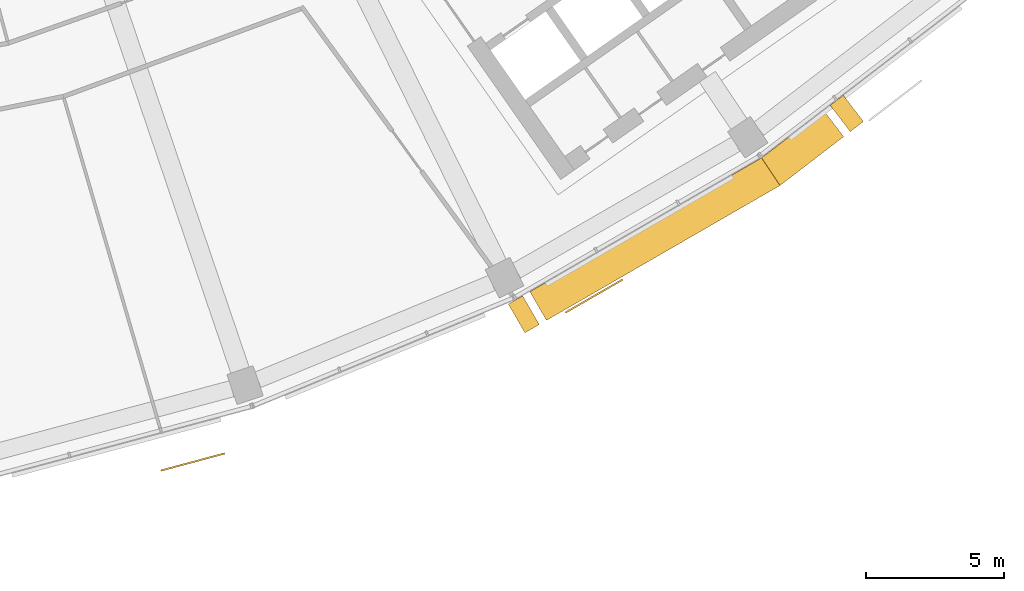
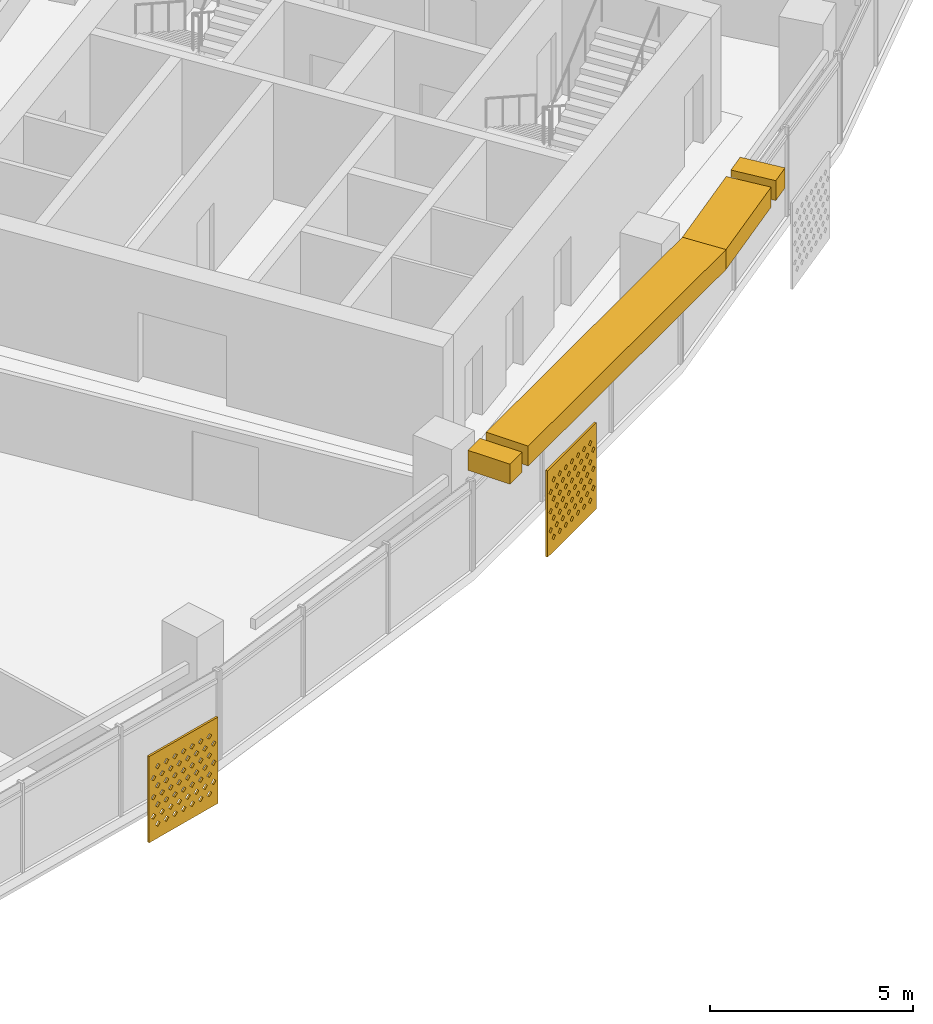
# One storey, part 26 of 28: 6 shading devices.
"""IFC4 building model written with IfcOpenShell, lengths in metres."""

from ifc_helpers import new_model, si_unit, direction, frame, origin, place, context, subcontext, project, spatial, polyline, outline, extrude, material, material_profile, profile_set, type_object, element, save


model = new_model("IFC4")

# Units and contexts
model_context = context("Model", 3, precision=1e-05, world=origin(), true_north=direction((0.0, 1.0)))
body_context = subcontext(model_context, "Body", "Model", "MODEL_VIEW")
ifc_project = project(units=[si_unit("LENGTHUNIT", "METRE"), si_unit("AREAUNIT", "SQUARE_METRE"), si_unit("VOLUMEUNIT", "CUBIC_METRE"), si_unit("PLANEANGLEUNIT", "RADIAN"), si_unit("MASSUNIT", "GRAM", prefix="KILO")], contexts=[model_context])

# Site, building, storey
site_placement = place(None, origin())
site = spatial("IfcSite", under=ifc_project, at=site_placement, CompositionType="ELEMENT")
building_placement = place(site_placement, origin())
building = spatial("IfcBuilding", under=site, at=building_placement, Name="Qamariyya Broadcast Tower", CompositionType="ELEMENT")
storey_placement = place(building_placement, frame((0.0, 0.0, 230.300048828125)))
storey = spatial("IfcBuildingStorey", under=building, at=storey_placement, Name="L55", CompositionType="ELEMENT", Elevation=230.300048828125)

# Shading devices
ifc_material_1 = material(Name="Steel S355 powder coated deep red", Category="steel")
shading_device_type_1 = type_object("IfcShadingDeviceType", Name="Deep red frame, powder coated steel box section", PredefinedType="USERDEFINED", material=ifc_material_1)
shading_device_1_placement = place(storey_placement, frame((0.0, 0.0, 3.199951171875)))
element("IfcShadingDevice", 1, at=shading_device_1_placement, inside=storey, type_object=shading_device_type_1, Name="e-frm-B4-F3-posta-L55", ObjectType="FRAME", PredefinedType="USERDEFINED", context=body_context, shape_type="SweptSolid", body=[
    extrude(outline(polyline([(34.526123046875, -70.68896484375), (35.126220703125, -71.728271484375), (35.645751953125, -71.42822265625), (35.0458984375, -70.38916015625), (34.526123046875, -70.68896484375)])), origin(), (0.0, 0.0, 1.0), 0.60009765625),
])
shading_device_2_placement = place(storey_placement, frame((0.0, 0.0, 3.199951171875)))
element("IfcShadingDevice", 2, at=shading_device_2_placement, inside=storey, type_object=shading_device_type_1, Name="e-frm-B4-F3-postb-L55", ObjectType="FRAME", PredefinedType="USERDEFINED", context=body_context, shape_type="SweptSolid", body=[
    extrude(outline(polyline([(46.17822265625, -63.489990234375), (46.90869140625, -64.442138671875), (47.384765625, -64.076904296875), (46.654296875, -63.124755859375), (46.17822265625, -63.489990234375)])), origin(), (0.0, 0.0, 1.0), 0.60009765625),
])
shading_device_3_placement = place(storey_placement, frame((0.0, 0.0, 3.199951171875)))
element("IfcShadingDevice", 3, at=shading_device_3_placement, inside=storey, type_object=shading_device_type_1, Name="e-frm-B4-F3-bot0", ObjectType="FRAME", PredefinedType="USERDEFINED", context=body_context, shape_type="SweptSolid", body=[
    extrude(outline(polyline([(35.3056640625, -70.239013671875), (35.905517578125, -71.2783203125), (44.36376953125, -66.39501953125), (43.695556640625, -65.39501953125), (35.3056640625, -70.239013671875)])), origin(), (0.0, 0.0, 1.0), 0.60009765625),
])
shading_device_4_placement = place(storey_placement, frame((0.0, 0.0, 3.199951171875)))
element("IfcShadingDevice", 4, at=shading_device_4_placement, inside=storey, type_object=shading_device_type_1, Name="e-frm-B4-F3-bot1", ObjectType="FRAME", PredefinedType="USERDEFINED", context=body_context, shape_type="SweptSolid", body=[
    extrude(outline(polyline([(43.695556640625, -65.39501953125), (44.36376953125, -66.39501953125), (46.670654296875, -64.624755859375), (45.940185546875, -63.672607421875), (43.695556640625, -65.39501953125)])), origin(), (0.0, 0.0, 1.0), 0.60009765625),
])
ifc_material_2 = material(Name="Perforated glazed terracotta", Category="masonry")
ifc_material_profile = material_profile(ifc_material_2, outline(polyline([(-1.199951171875, -1.300048828125), (1.199951171875, -1.300048828125), (1.199951171875, 1.300048828125), (-1.199951171875, 1.300048828125), (-1.199951171875, -1.300048828125)]), holes=[polyline([(-0.81494140625, -0.86669921875), (-0.89990234375, -0.78173828125), (-0.985107421875, -0.86669921875), (-0.89990234375, -0.95166015625), (-0.81494140625, -0.86669921875)]), polyline([(-0.514892578125, -0.86669921875), (-0.60009765625, -0.78173828125), (-0.68505859375, -0.86669921875), (-0.60009765625, -0.95166015625), (-0.514892578125, -0.86669921875)]), polyline([(-0.215087890625, -0.86669921875), (-0.300048828125, -0.78173828125), (-0.385009765625, -0.86669921875), (-0.300048828125, -0.95166015625), (-0.215087890625, -0.86669921875)]), polyline([(0.0849609375, -0.86669921875), (0.0, -0.78173828125), (-0.0849609375, -0.86669921875), (0.0, -0.95166015625), (0.0849609375, -0.86669921875)]), polyline([(0.385009765625, -0.86669921875), (0.300048828125, -0.78173828125), (0.215087890625, -0.86669921875), (0.300048828125, -0.95166015625), (0.385009765625, -0.86669921875)]), polyline([(0.68505859375, -0.86669921875), (0.60009765625, -0.78173828125), (0.514892578125, -0.86669921875), (0.60009765625, -0.95166015625), (0.68505859375, -0.86669921875)]), polyline([(0.985107421875, -0.86669921875), (0.89990234375, -0.78173828125), (0.81494140625, -0.86669921875), (0.89990234375, -0.95166015625), (0.985107421875, -0.86669921875)]), polyline([(-0.965087890625, -0.577880859375), (-1.050048828125, -0.49267578125), (-1.135009765625, -0.577880859375), (-1.050048828125, -0.662841796875), (-0.965087890625, -0.577880859375)]), polyline([(-0.6650390625, -0.577880859375), (-0.75, -0.49267578125), (-0.8349609375, -0.577880859375), (-0.75, -0.662841796875), (-0.6650390625, -0.577880859375)]), polyline([(-0.364990234375, -0.577880859375), (-0.449951171875, -0.49267578125), (-0.534912109375, -0.577880859375), (-0.449951171875, -0.662841796875), (-0.364990234375, -0.577880859375)]), polyline([(-0.06494140625, -0.577880859375), (-0.14990234375, -0.49267578125), (-0.235107421875, -0.577880859375), (-0.14990234375, -0.662841796875), (-0.06494140625, -0.577880859375)]), polyline([(0.235107421875, -0.577880859375), (0.14990234375, -0.49267578125), (0.06494140625, -0.577880859375), (0.14990234375, -0.662841796875), (0.235107421875, -0.577880859375)]), polyline([(0.534912109375, -0.577880859375), (0.449951171875, -0.49267578125), (0.364990234375, -0.577880859375), (0.449951171875, -0.662841796875), (0.534912109375, -0.577880859375)]), polyline([(0.8349609375, -0.577880859375), (0.75, -0.49267578125), (0.6650390625, -0.577880859375), (0.75, -0.662841796875), (0.8349609375, -0.577880859375)]), polyline([(1.135009765625, -0.577880859375), (1.050048828125, -0.49267578125), (0.965087890625, -0.577880859375), (1.050048828125, -0.662841796875), (1.135009765625, -0.577880859375)]), polyline([(-0.81494140625, -0.288818359375), (-0.89990234375, -0.203857421875), (-0.985107421875, -0.288818359375), (-0.89990234375, -0.373779296875), (-0.81494140625, -0.288818359375)]), polyline([(-0.514892578125, -0.288818359375), (-0.60009765625, -0.203857421875), (-0.68505859375, -0.288818359375), (-0.60009765625, -0.373779296875), (-0.514892578125, -0.288818359375)]), polyline([(-0.215087890625, -0.288818359375), (-0.300048828125, -0.203857421875), (-0.385009765625, -0.288818359375), (-0.300048828125, -0.373779296875), (-0.215087890625, -0.288818359375)]), polyline([(0.0849609375, -0.288818359375), (0.0, -0.203857421875), (-0.0849609375, -0.288818359375), (0.0, -0.373779296875), (0.0849609375, -0.288818359375)]), polyline([(0.385009765625, -0.288818359375), (0.300048828125, -0.203857421875), (0.215087890625, -0.288818359375), (0.300048828125, -0.373779296875), (0.385009765625, -0.288818359375)]), polyline([(0.68505859375, -0.288818359375), (0.60009765625, -0.203857421875), (0.514892578125, -0.288818359375), (0.60009765625, -0.373779296875), (0.68505859375, -0.288818359375)]), polyline([(0.985107421875, -0.288818359375), (0.89990234375, -0.203857421875), (0.81494140625, -0.288818359375), (0.89990234375, -0.373779296875), (0.985107421875, -0.288818359375)]), polyline([(-0.965087890625, 0.0), (-1.050048828125, 0.0849609375), (-1.135009765625, 0.0), (-1.050048828125, -0.0849609375), (-0.965087890625, 0.0)]), polyline([(-0.6650390625, 0.0), (-0.75, 0.0849609375), (-0.8349609375, 0.0), (-0.75, -0.0849609375), (-0.6650390625, 0.0)]), polyline([(-0.364990234375, 0.0), (-0.449951171875, 0.0849609375), (-0.534912109375, 0.0), (-0.449951171875, -0.0849609375), (-0.364990234375, 0.0)]), polyline([(-0.06494140625, 0.0), (-0.14990234375, 0.0849609375), (-0.235107421875, 0.0), (-0.14990234375, -0.0849609375), (-0.06494140625, 0.0)]), polyline([(0.235107421875, 0.0), (0.14990234375, 0.0849609375), (0.06494140625, 0.0), (0.14990234375, -0.0849609375), (0.235107421875, 0.0)]), polyline([(0.534912109375, 0.0), (0.449951171875, 0.0849609375), (0.364990234375, 0.0), (0.449951171875, -0.0849609375), (0.534912109375, 0.0)]), polyline([(0.8349609375, 0.0), (0.75, 0.0849609375), (0.6650390625, 0.0), (0.75, -0.0849609375), (0.8349609375, 0.0)]), polyline([(1.135009765625, 0.0), (1.050048828125, 0.0849609375), (0.965087890625, 0.0), (1.050048828125, -0.0849609375), (1.135009765625, 0.0)]), polyline([(-0.81494140625, 0.288818359375), (-0.89990234375, 0.373779296875), (-0.985107421875, 0.288818359375), (-0.89990234375, 0.203857421875), (-0.81494140625, 0.288818359375)]), polyline([(-0.514892578125, 0.288818359375), (-0.60009765625, 0.373779296875), (-0.68505859375, 0.288818359375), (-0.60009765625, 0.203857421875), (-0.514892578125, 0.288818359375)]), polyline([(-0.215087890625, 0.288818359375), (-0.300048828125, 0.373779296875), (-0.385009765625, 0.288818359375), (-0.300048828125, 0.203857421875), (-0.215087890625, 0.288818359375)]), polyline([(0.0849609375, 0.288818359375), (0.0, 0.373779296875), (-0.0849609375, 0.288818359375), (0.0, 0.203857421875), (0.0849609375, 0.288818359375)]), polyline([(0.385009765625, 0.288818359375), (0.300048828125, 0.373779296875), (0.215087890625, 0.288818359375), (0.300048828125, 0.203857421875), (0.385009765625, 0.288818359375)]), polyline([(0.68505859375, 0.288818359375), (0.60009765625, 0.373779296875), (0.514892578125, 0.288818359375), (0.60009765625, 0.203857421875), (0.68505859375, 0.288818359375)]), polyline([(0.985107421875, 0.288818359375), (0.89990234375, 0.373779296875), (0.81494140625, 0.288818359375), (0.89990234375, 0.203857421875), (0.985107421875, 0.288818359375)]), polyline([(-0.965087890625, 0.577880859375), (-1.050048828125, 0.662841796875), (-1.135009765625, 0.577880859375), (-1.050048828125, 0.49267578125), (-0.965087890625, 0.577880859375)]), polyline([(-0.6650390625, 0.577880859375), (-0.75, 0.662841796875), (-0.8349609375, 0.577880859375), (-0.75, 0.49267578125), (-0.6650390625, 0.577880859375)]), polyline([(-0.364990234375, 0.577880859375), (-0.449951171875, 0.662841796875), (-0.534912109375, 0.577880859375), (-0.449951171875, 0.49267578125), (-0.364990234375, 0.577880859375)]), polyline([(-0.06494140625, 0.577880859375), (-0.14990234375, 0.662841796875), (-0.235107421875, 0.577880859375), (-0.14990234375, 0.49267578125), (-0.06494140625, 0.577880859375)]), polyline([(0.235107421875, 0.577880859375), (0.14990234375, 0.662841796875), (0.06494140625, 0.577880859375), (0.14990234375, 0.49267578125), (0.235107421875, 0.577880859375)]), polyline([(0.534912109375, 0.577880859375), (0.449951171875, 0.662841796875), (0.364990234375, 0.577880859375), (0.449951171875, 0.49267578125), (0.534912109375, 0.577880859375)]), polyline([(0.8349609375, 0.577880859375), (0.75, 0.662841796875), (0.6650390625, 0.577880859375), (0.75, 0.49267578125), (0.8349609375, 0.577880859375)]), polyline([(1.135009765625, 0.577880859375), (1.050048828125, 0.662841796875), (0.965087890625, 0.577880859375), (1.050048828125, 0.49267578125), (1.135009765625, 0.577880859375)]), polyline([(-0.81494140625, 0.86669921875), (-0.89990234375, 0.95166015625), (-0.985107421875, 0.86669921875), (-0.89990234375, 0.78173828125), (-0.81494140625, 0.86669921875)]), polyline([(-0.514892578125, 0.86669921875), (-0.60009765625, 0.95166015625), (-0.68505859375, 0.86669921875), (-0.60009765625, 0.78173828125), (-0.514892578125, 0.86669921875)]), polyline([(-0.215087890625, 0.86669921875), (-0.300048828125, 0.95166015625), (-0.385009765625, 0.86669921875), (-0.300048828125, 0.78173828125), (-0.215087890625, 0.86669921875)]), polyline([(0.0849609375, 0.86669921875), (0.0, 0.95166015625), (-0.0849609375, 0.86669921875), (0.0, 0.78173828125), (0.0849609375, 0.86669921875)]), polyline([(0.385009765625, 0.86669921875), (0.300048828125, 0.95166015625), (0.215087890625, 0.86669921875), (0.300048828125, 0.78173828125), (0.385009765625, 0.86669921875)]), polyline([(0.68505859375, 0.86669921875), (0.60009765625, 0.95166015625), (0.514892578125, 0.86669921875), (0.60009765625, 0.78173828125), (0.68505859375, 0.86669921875)]), polyline([(0.985107421875, 0.86669921875), (0.89990234375, 0.95166015625), (0.81494140625, 0.86669921875), (0.89990234375, 0.78173828125), (0.985107421875, 0.86669921875)])]))
ifc_profile_set = profile_set([ifc_material_profile], Name="Perforated glazed terracotta")
shading_device_type_2 = type_object("IfcShadingDeviceType", Name="Perforated terracotta screen 2400 x 2600", PredefinedType="USERDEFINED", material=ifc_profile_set)
shading_device_5_placement = place(storey_placement, frame((23.0908203125, -76.377685546875, 1.349853515625), z_axis=(0.259682438219, -0.965694067125, 0.0), x_axis=(0.965694067125, 0.259682438219, 0.0)))
element("IfcShadingDevice", 5, at=shading_device_5_placement, inside=storey, type_object=shading_device_type_2, Name="e-scr-L55-10-2", ObjectType="SCREEN", PredefinedType="USERDEFINED", context=body_context, shape_type="SweptSolid", body=[
    extrude(outline(polyline([(-1.199951171875, -1.300048828125), (1.199951171875, -1.300048828125), (1.199951171875, 1.300048828125), (-1.199951171875, 1.300048828125), (-1.199951171875, -1.300048828125)]), holes=[polyline([(-0.81494140625, -0.86669921875), (-0.89990234375, -0.78173828125), (-0.985107421875, -0.86669921875), (-0.89990234375, -0.95166015625), (-0.81494140625, -0.86669921875)]), polyline([(-0.514892578125, -0.86669921875), (-0.60009765625, -0.78173828125), (-0.68505859375, -0.86669921875), (-0.60009765625, -0.95166015625), (-0.514892578125, -0.86669921875)]), polyline([(-0.215087890625, -0.86669921875), (-0.300048828125, -0.78173828125), (-0.385009765625, -0.86669921875), (-0.300048828125, -0.95166015625), (-0.215087890625, -0.86669921875)]), polyline([(0.0849609375, -0.86669921875), (0.0, -0.78173828125), (-0.0849609375, -0.86669921875), (0.0, -0.95166015625), (0.0849609375, -0.86669921875)]), polyline([(0.385009765625, -0.86669921875), (0.300048828125, -0.78173828125), (0.215087890625, -0.86669921875), (0.300048828125, -0.95166015625), (0.385009765625, -0.86669921875)]), polyline([(0.68505859375, -0.86669921875), (0.60009765625, -0.78173828125), (0.514892578125, -0.86669921875), (0.60009765625, -0.95166015625), (0.68505859375, -0.86669921875)]), polyline([(0.985107421875, -0.86669921875), (0.89990234375, -0.78173828125), (0.81494140625, -0.86669921875), (0.89990234375, -0.95166015625), (0.985107421875, -0.86669921875)]), polyline([(-0.965087890625, -0.577880859375), (-1.050048828125, -0.49267578125), (-1.135009765625, -0.577880859375), (-1.050048828125, -0.662841796875), (-0.965087890625, -0.577880859375)]), polyline([(-0.6650390625, -0.577880859375), (-0.75, -0.49267578125), (-0.8349609375, -0.577880859375), (-0.75, -0.662841796875), (-0.6650390625, -0.577880859375)]), polyline([(-0.364990234375, -0.577880859375), (-0.449951171875, -0.49267578125), (-0.534912109375, -0.577880859375), (-0.449951171875, -0.662841796875), (-0.364990234375, -0.577880859375)]), polyline([(-0.06494140625, -0.577880859375), (-0.14990234375, -0.49267578125), (-0.235107421875, -0.577880859375), (-0.14990234375, -0.662841796875), (-0.06494140625, -0.577880859375)]), polyline([(0.235107421875, -0.577880859375), (0.14990234375, -0.49267578125), (0.06494140625, -0.577880859375), (0.14990234375, -0.662841796875), (0.235107421875, -0.577880859375)]), polyline([(0.534912109375, -0.577880859375), (0.449951171875, -0.49267578125), (0.364990234375, -0.577880859375), (0.449951171875, -0.662841796875), (0.534912109375, -0.577880859375)]), polyline([(0.8349609375, -0.577880859375), (0.75, -0.49267578125), (0.6650390625, -0.577880859375), (0.75, -0.662841796875), (0.8349609375, -0.577880859375)]), polyline([(1.135009765625, -0.577880859375), (1.050048828125, -0.49267578125), (0.965087890625, -0.577880859375), (1.050048828125, -0.662841796875), (1.135009765625, -0.577880859375)]), polyline([(-0.81494140625, -0.288818359375), (-0.89990234375, -0.203857421875), (-0.985107421875, -0.288818359375), (-0.89990234375, -0.373779296875), (-0.81494140625, -0.288818359375)]), polyline([(-0.514892578125, -0.288818359375), (-0.60009765625, -0.203857421875), (-0.68505859375, -0.288818359375), (-0.60009765625, -0.373779296875), (-0.514892578125, -0.288818359375)]), polyline([(-0.215087890625, -0.288818359375), (-0.300048828125, -0.203857421875), (-0.385009765625, -0.288818359375), (-0.300048828125, -0.373779296875), (-0.215087890625, -0.288818359375)]), polyline([(0.0849609375, -0.288818359375), (0.0, -0.203857421875), (-0.0849609375, -0.288818359375), (0.0, -0.373779296875), (0.0849609375, -0.288818359375)]), polyline([(0.385009765625, -0.288818359375), (0.300048828125, -0.203857421875), (0.215087890625, -0.288818359375), (0.300048828125, -0.373779296875), (0.385009765625, -0.288818359375)]), polyline([(0.68505859375, -0.288818359375), (0.60009765625, -0.203857421875), (0.514892578125, -0.288818359375), (0.60009765625, -0.373779296875), (0.68505859375, -0.288818359375)]), polyline([(0.985107421875, -0.288818359375), (0.89990234375, -0.203857421875), (0.81494140625, -0.288818359375), (0.89990234375, -0.373779296875), (0.985107421875, -0.288818359375)]), polyline([(-0.965087890625, 0.0), (-1.050048828125, 0.0849609375), (-1.135009765625, 0.0), (-1.050048828125, -0.0849609375), (-0.965087890625, 0.0)]), polyline([(-0.6650390625, 0.0), (-0.75, 0.0849609375), (-0.8349609375, 0.0), (-0.75, -0.0849609375), (-0.6650390625, 0.0)]), polyline([(-0.364990234375, 0.0), (-0.449951171875, 0.0849609375), (-0.534912109375, 0.0), (-0.449951171875, -0.0849609375), (-0.364990234375, 0.0)]), polyline([(-0.06494140625, 0.0), (-0.14990234375, 0.0849609375), (-0.235107421875, 0.0), (-0.14990234375, -0.0849609375), (-0.06494140625, 0.0)]), polyline([(0.235107421875, 0.0), (0.14990234375, 0.0849609375), (0.06494140625, 0.0), (0.14990234375, -0.0849609375), (0.235107421875, 0.0)]), polyline([(0.534912109375, 0.0), (0.449951171875, 0.0849609375), (0.364990234375, 0.0), (0.449951171875, -0.0849609375), (0.534912109375, 0.0)]), polyline([(0.8349609375, 0.0), (0.75, 0.0849609375), (0.6650390625, 0.0), (0.75, -0.0849609375), (0.8349609375, 0.0)]), polyline([(1.135009765625, 0.0), (1.050048828125, 0.0849609375), (0.965087890625, 0.0), (1.050048828125, -0.0849609375), (1.135009765625, 0.0)]), polyline([(-0.81494140625, 0.288818359375), (-0.89990234375, 0.373779296875), (-0.985107421875, 0.288818359375), (-0.89990234375, 0.203857421875), (-0.81494140625, 0.288818359375)]), polyline([(-0.514892578125, 0.288818359375), (-0.60009765625, 0.373779296875), (-0.68505859375, 0.288818359375), (-0.60009765625, 0.203857421875), (-0.514892578125, 0.288818359375)]), polyline([(-0.215087890625, 0.288818359375), (-0.300048828125, 0.373779296875), (-0.385009765625, 0.288818359375), (-0.300048828125, 0.203857421875), (-0.215087890625, 0.288818359375)]), polyline([(0.0849609375, 0.288818359375), (0.0, 0.373779296875), (-0.0849609375, 0.288818359375), (0.0, 0.203857421875), (0.0849609375, 0.288818359375)]), polyline([(0.385009765625, 0.288818359375), (0.300048828125, 0.373779296875), (0.215087890625, 0.288818359375), (0.300048828125, 0.203857421875), (0.385009765625, 0.288818359375)]), polyline([(0.68505859375, 0.288818359375), (0.60009765625, 0.373779296875), (0.514892578125, 0.288818359375), (0.60009765625, 0.203857421875), (0.68505859375, 0.288818359375)]), polyline([(0.985107421875, 0.288818359375), (0.89990234375, 0.373779296875), (0.81494140625, 0.288818359375), (0.89990234375, 0.203857421875), (0.985107421875, 0.288818359375)]), polyline([(-0.965087890625, 0.577880859375), (-1.050048828125, 0.662841796875), (-1.135009765625, 0.577880859375), (-1.050048828125, 0.49267578125), (-0.965087890625, 0.577880859375)]), polyline([(-0.6650390625, 0.577880859375), (-0.75, 0.662841796875), (-0.8349609375, 0.577880859375), (-0.75, 0.49267578125), (-0.6650390625, 0.577880859375)]), polyline([(-0.364990234375, 0.577880859375), (-0.449951171875, 0.662841796875), (-0.534912109375, 0.577880859375), (-0.449951171875, 0.49267578125), (-0.364990234375, 0.577880859375)]), polyline([(-0.06494140625, 0.577880859375), (-0.14990234375, 0.662841796875), (-0.235107421875, 0.577880859375), (-0.14990234375, 0.49267578125), (-0.06494140625, 0.577880859375)]), polyline([(0.235107421875, 0.577880859375), (0.14990234375, 0.662841796875), (0.06494140625, 0.577880859375), (0.14990234375, 0.49267578125), (0.235107421875, 0.577880859375)]), polyline([(0.534912109375, 0.577880859375), (0.449951171875, 0.662841796875), (0.364990234375, 0.577880859375), (0.449951171875, 0.49267578125), (0.534912109375, 0.577880859375)]), polyline([(0.8349609375, 0.577880859375), (0.75, 0.662841796875), (0.6650390625, 0.577880859375), (0.75, 0.49267578125), (0.8349609375, 0.577880859375)]), polyline([(1.135009765625, 0.577880859375), (1.050048828125, 0.662841796875), (0.965087890625, 0.577880859375), (1.050048828125, 0.49267578125), (1.135009765625, 0.577880859375)]), polyline([(-0.81494140625, 0.86669921875), (-0.89990234375, 0.95166015625), (-0.985107421875, 0.86669921875), (-0.89990234375, 0.78173828125), (-0.81494140625, 0.86669921875)]), polyline([(-0.514892578125, 0.86669921875), (-0.60009765625, 0.95166015625), (-0.68505859375, 0.86669921875), (-0.60009765625, 0.78173828125), (-0.514892578125, 0.86669921875)]), polyline([(-0.215087890625, 0.86669921875), (-0.300048828125, 0.95166015625), (-0.385009765625, 0.86669921875), (-0.300048828125, 0.78173828125), (-0.215087890625, 0.86669921875)]), polyline([(0.0849609375, 0.86669921875), (0.0, 0.95166015625), (-0.0849609375, 0.86669921875), (0.0, 0.78173828125), (0.0849609375, 0.86669921875)]), polyline([(0.385009765625, 0.86669921875), (0.300048828125, 0.95166015625), (0.215087890625, 0.86669921875), (0.300048828125, 0.78173828125), (0.385009765625, 0.86669921875)]), polyline([(0.68505859375, 0.86669921875), (0.60009765625, 0.95166015625), (0.514892578125, 0.86669921875), (0.60009765625, 0.78173828125), (0.68505859375, 0.86669921875)]), polyline([(0.985107421875, 0.86669921875), (0.89990234375, 0.95166015625), (0.81494140625, 0.86669921875), (0.89990234375, 0.78173828125), (0.985107421875, 0.86669921875)])]), origin(), (0.0, 0.0, 1.0), 0.06005859375),
])
shading_device_6_placement = place(storey_placement, frame((37.6171875, -70.370849609375, 1.349853515625), z_axis=(0.500074377092, -0.865982457891, 0.0), x_axis=(0.865982457891, 0.500074377092, 0.0)))
element("IfcShadingDevice", 6, at=shading_device_6_placement, inside=storey, type_object=shading_device_type_2, Name="e-scr-L55-12-0", ObjectType="SCREEN", PredefinedType="USERDEFINED", context=body_context, shape_type="SweptSolid", body=[
    extrude(outline(polyline([(-1.199951171875, -1.300048828125), (1.199951171875, -1.300048828125), (1.199951171875, 1.300048828125), (-1.199951171875, 1.300048828125), (-1.199951171875, -1.300048828125)]), holes=[polyline([(-0.81494140625, -0.86669921875), (-0.89990234375, -0.78173828125), (-0.985107421875, -0.86669921875), (-0.89990234375, -0.95166015625), (-0.81494140625, -0.86669921875)]), polyline([(-0.514892578125, -0.86669921875), (-0.60009765625, -0.78173828125), (-0.68505859375, -0.86669921875), (-0.60009765625, -0.95166015625), (-0.514892578125, -0.86669921875)]), polyline([(-0.215087890625, -0.86669921875), (-0.300048828125, -0.78173828125), (-0.385009765625, -0.86669921875), (-0.300048828125, -0.95166015625), (-0.215087890625, -0.86669921875)]), polyline([(0.0849609375, -0.86669921875), (0.0, -0.78173828125), (-0.0849609375, -0.86669921875), (0.0, -0.95166015625), (0.0849609375, -0.86669921875)]), polyline([(0.385009765625, -0.86669921875), (0.300048828125, -0.78173828125), (0.215087890625, -0.86669921875), (0.300048828125, -0.95166015625), (0.385009765625, -0.86669921875)]), polyline([(0.68505859375, -0.86669921875), (0.60009765625, -0.78173828125), (0.514892578125, -0.86669921875), (0.60009765625, -0.95166015625), (0.68505859375, -0.86669921875)]), polyline([(0.985107421875, -0.86669921875), (0.89990234375, -0.78173828125), (0.81494140625, -0.86669921875), (0.89990234375, -0.95166015625), (0.985107421875, -0.86669921875)]), polyline([(-0.965087890625, -0.577880859375), (-1.050048828125, -0.49267578125), (-1.135009765625, -0.577880859375), (-1.050048828125, -0.662841796875), (-0.965087890625, -0.577880859375)]), polyline([(-0.6650390625, -0.577880859375), (-0.75, -0.49267578125), (-0.8349609375, -0.577880859375), (-0.75, -0.662841796875), (-0.6650390625, -0.577880859375)]), polyline([(-0.364990234375, -0.577880859375), (-0.449951171875, -0.49267578125), (-0.534912109375, -0.577880859375), (-0.449951171875, -0.662841796875), (-0.364990234375, -0.577880859375)]), polyline([(-0.06494140625, -0.577880859375), (-0.14990234375, -0.49267578125), (-0.235107421875, -0.577880859375), (-0.14990234375, -0.662841796875), (-0.06494140625, -0.577880859375)]), polyline([(0.235107421875, -0.577880859375), (0.14990234375, -0.49267578125), (0.06494140625, -0.577880859375), (0.14990234375, -0.662841796875), (0.235107421875, -0.577880859375)]), polyline([(0.534912109375, -0.577880859375), (0.449951171875, -0.49267578125), (0.364990234375, -0.577880859375), (0.449951171875, -0.662841796875), (0.534912109375, -0.577880859375)]), polyline([(0.8349609375, -0.577880859375), (0.75, -0.49267578125), (0.6650390625, -0.577880859375), (0.75, -0.662841796875), (0.8349609375, -0.577880859375)]), polyline([(1.135009765625, -0.577880859375), (1.050048828125, -0.49267578125), (0.965087890625, -0.577880859375), (1.050048828125, -0.662841796875), (1.135009765625, -0.577880859375)]), polyline([(-0.81494140625, -0.288818359375), (-0.89990234375, -0.203857421875), (-0.985107421875, -0.288818359375), (-0.89990234375, -0.373779296875), (-0.81494140625, -0.288818359375)]), polyline([(-0.514892578125, -0.288818359375), (-0.60009765625, -0.203857421875), (-0.68505859375, -0.288818359375), (-0.60009765625, -0.373779296875), (-0.514892578125, -0.288818359375)]), polyline([(-0.215087890625, -0.288818359375), (-0.300048828125, -0.203857421875), (-0.385009765625, -0.288818359375), (-0.300048828125, -0.373779296875), (-0.215087890625, -0.288818359375)]), polyline([(0.0849609375, -0.288818359375), (0.0, -0.203857421875), (-0.0849609375, -0.288818359375), (0.0, -0.373779296875), (0.0849609375, -0.288818359375)]), polyline([(0.385009765625, -0.288818359375), (0.300048828125, -0.203857421875), (0.215087890625, -0.288818359375), (0.300048828125, -0.373779296875), (0.385009765625, -0.288818359375)]), polyline([(0.68505859375, -0.288818359375), (0.60009765625, -0.203857421875), (0.514892578125, -0.288818359375), (0.60009765625, -0.373779296875), (0.68505859375, -0.288818359375)]), polyline([(0.985107421875, -0.288818359375), (0.89990234375, -0.203857421875), (0.81494140625, -0.288818359375), (0.89990234375, -0.373779296875), (0.985107421875, -0.288818359375)]), polyline([(-0.965087890625, 0.0), (-1.050048828125, 0.0849609375), (-1.135009765625, 0.0), (-1.050048828125, -0.0849609375), (-0.965087890625, 0.0)]), polyline([(-0.6650390625, 0.0), (-0.75, 0.0849609375), (-0.8349609375, 0.0), (-0.75, -0.0849609375), (-0.6650390625, 0.0)]), polyline([(-0.364990234375, 0.0), (-0.449951171875, 0.0849609375), (-0.534912109375, 0.0), (-0.449951171875, -0.0849609375), (-0.364990234375, 0.0)]), polyline([(-0.06494140625, 0.0), (-0.14990234375, 0.0849609375), (-0.235107421875, 0.0), (-0.14990234375, -0.0849609375), (-0.06494140625, 0.0)]), polyline([(0.235107421875, 0.0), (0.14990234375, 0.0849609375), (0.06494140625, 0.0), (0.14990234375, -0.0849609375), (0.235107421875, 0.0)]), polyline([(0.534912109375, 0.0), (0.449951171875, 0.0849609375), (0.364990234375, 0.0), (0.449951171875, -0.0849609375), (0.534912109375, 0.0)]), polyline([(0.8349609375, 0.0), (0.75, 0.0849609375), (0.6650390625, 0.0), (0.75, -0.0849609375), (0.8349609375, 0.0)]), polyline([(1.135009765625, 0.0), (1.050048828125, 0.0849609375), (0.965087890625, 0.0), (1.050048828125, -0.0849609375), (1.135009765625, 0.0)]), polyline([(-0.81494140625, 0.288818359375), (-0.89990234375, 0.373779296875), (-0.985107421875, 0.288818359375), (-0.89990234375, 0.203857421875), (-0.81494140625, 0.288818359375)]), polyline([(-0.514892578125, 0.288818359375), (-0.60009765625, 0.373779296875), (-0.68505859375, 0.288818359375), (-0.60009765625, 0.203857421875), (-0.514892578125, 0.288818359375)]), polyline([(-0.215087890625, 0.288818359375), (-0.300048828125, 0.373779296875), (-0.385009765625, 0.288818359375), (-0.300048828125, 0.203857421875), (-0.215087890625, 0.288818359375)]), polyline([(0.0849609375, 0.288818359375), (0.0, 0.373779296875), (-0.0849609375, 0.288818359375), (0.0, 0.203857421875), (0.0849609375, 0.288818359375)]), polyline([(0.385009765625, 0.288818359375), (0.300048828125, 0.373779296875), (0.215087890625, 0.288818359375), (0.300048828125, 0.203857421875), (0.385009765625, 0.288818359375)]), polyline([(0.68505859375, 0.288818359375), (0.60009765625, 0.373779296875), (0.514892578125, 0.288818359375), (0.60009765625, 0.203857421875), (0.68505859375, 0.288818359375)]), polyline([(0.985107421875, 0.288818359375), (0.89990234375, 0.373779296875), (0.81494140625, 0.288818359375), (0.89990234375, 0.203857421875), (0.985107421875, 0.288818359375)]), polyline([(-0.965087890625, 0.577880859375), (-1.050048828125, 0.662841796875), (-1.135009765625, 0.577880859375), (-1.050048828125, 0.49267578125), (-0.965087890625, 0.577880859375)]), polyline([(-0.6650390625, 0.577880859375), (-0.75, 0.662841796875), (-0.8349609375, 0.577880859375), (-0.75, 0.49267578125), (-0.6650390625, 0.577880859375)]), polyline([(-0.364990234375, 0.577880859375), (-0.449951171875, 0.662841796875), (-0.534912109375, 0.577880859375), (-0.449951171875, 0.49267578125), (-0.364990234375, 0.577880859375)]), polyline([(-0.06494140625, 0.577880859375), (-0.14990234375, 0.662841796875), (-0.235107421875, 0.577880859375), (-0.14990234375, 0.49267578125), (-0.06494140625, 0.577880859375)]), polyline([(0.235107421875, 0.577880859375), (0.14990234375, 0.662841796875), (0.06494140625, 0.577880859375), (0.14990234375, 0.49267578125), (0.235107421875, 0.577880859375)]), polyline([(0.534912109375, 0.577880859375), (0.449951171875, 0.662841796875), (0.364990234375, 0.577880859375), (0.449951171875, 0.49267578125), (0.534912109375, 0.577880859375)]), polyline([(0.8349609375, 0.577880859375), (0.75, 0.662841796875), (0.6650390625, 0.577880859375), (0.75, 0.49267578125), (0.8349609375, 0.577880859375)]), polyline([(1.135009765625, 0.577880859375), (1.050048828125, 0.662841796875), (0.965087890625, 0.577880859375), (1.050048828125, 0.49267578125), (1.135009765625, 0.577880859375)]), polyline([(-0.81494140625, 0.86669921875), (-0.89990234375, 0.95166015625), (-0.985107421875, 0.86669921875), (-0.89990234375, 0.78173828125), (-0.81494140625, 0.86669921875)]), polyline([(-0.514892578125, 0.86669921875), (-0.60009765625, 0.95166015625), (-0.68505859375, 0.86669921875), (-0.60009765625, 0.78173828125), (-0.514892578125, 0.86669921875)]), polyline([(-0.215087890625, 0.86669921875), (-0.300048828125, 0.95166015625), (-0.385009765625, 0.86669921875), (-0.300048828125, 0.78173828125), (-0.215087890625, 0.86669921875)]), polyline([(0.0849609375, 0.86669921875), (0.0, 0.95166015625), (-0.0849609375, 0.86669921875), (0.0, 0.78173828125), (0.0849609375, 0.86669921875)]), polyline([(0.385009765625, 0.86669921875), (0.300048828125, 0.95166015625), (0.215087890625, 0.86669921875), (0.300048828125, 0.78173828125), (0.385009765625, 0.86669921875)]), polyline([(0.68505859375, 0.86669921875), (0.60009765625, 0.95166015625), (0.514892578125, 0.86669921875), (0.60009765625, 0.78173828125), (0.68505859375, 0.86669921875)]), polyline([(0.985107421875, 0.86669921875), (0.89990234375, 0.95166015625), (0.81494140625, 0.86669921875), (0.89990234375, 0.78173828125), (0.985107421875, 0.86669921875)])]), origin(), (0.0, 0.0, 1.0), 0.06005859375),
])

save(model, "model.ifc")
